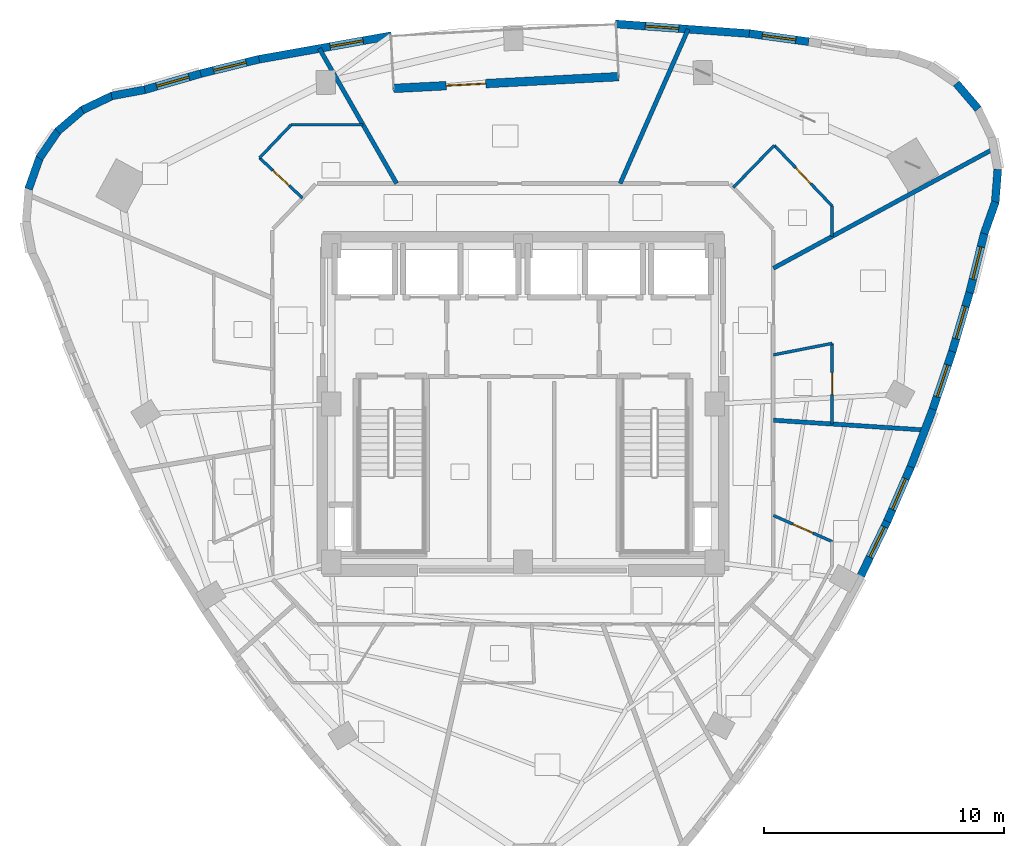
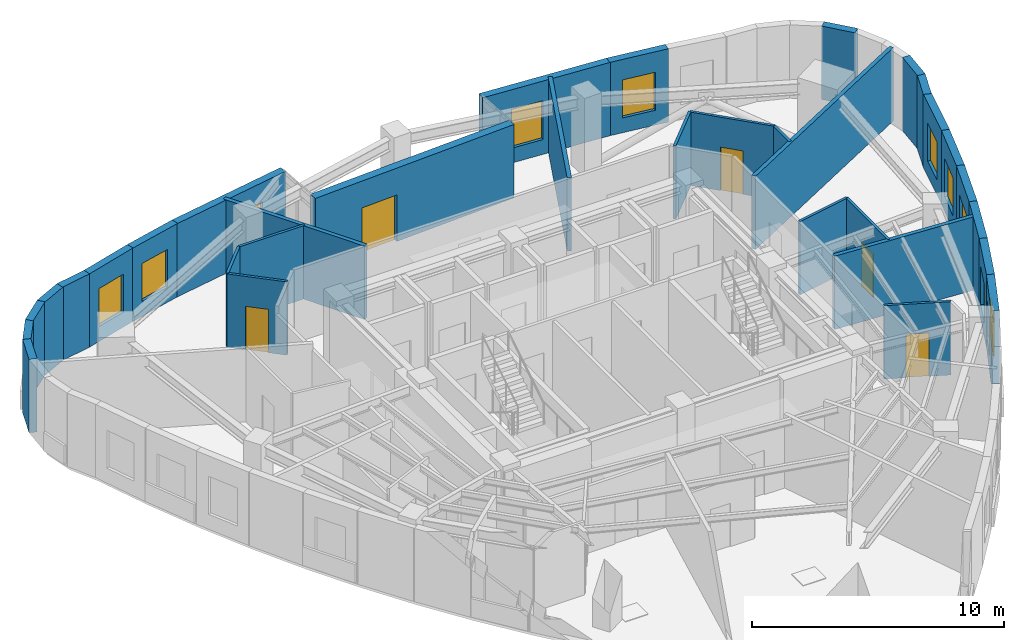
# One storey, part 8 of 12: 33 walls, 10 windows, 5 doors, 15 openings.
"""IFC4 building model written with IfcOpenShell, lengths in metres."""

import ifcopenshell
import ifcopenshell.guid

model = None  # the IFC model being written
_history = None  # IfcOwnerHistory: only IFC2X3 demands one
_inside = {}  # id of a spatial element -> (the spatial element, [elements in it])
_under = {}  # id of a project, library or spatial element -> (it, [spatial elements below it])
_declared = {}  # id of a project -> (the project, [libraries it declares])
_typed = {}  # id of a type object -> (the type object, [elements of that type])
_made_of = {}  # id of a material, layer set ... -> (it, [elements and type objects made of it])


def new_model(schema):
    """Start an empty IFC model of exactly this schema.

    Asked for "IFC4X3", IfcOpenShell would pick the latest addendum, in which some entities
    have other attributes; the version numbers below select the first issue.
    IFC2X3 requires an IfcOwnerHistory on every rooted entity: one is made here for all.
    """
    global model, _history
    if schema == "IFC4X3":
        model = ifcopenshell.file(schema_version=(4, 3, 0, 0))
    else:
        model = ifcopenshell.file(schema=schema)
    _inside.clear()
    _under.clear()
    _declared.clear()
    _typed.clear()
    _made_of.clear()
    _history = None
    if model.schema == "IFC2X3":
        org = make("IfcOrganization", Name="unknown")
        user = make(
            "IfcPersonAndOrganization",
            ThePerson=make("IfcPerson", FamilyName="unknown"),
            TheOrganization=org,
        )
        app = make(
            "IfcApplication",
            ApplicationDeveloper=org,
            Version="unknown",
            ApplicationFullName="unknown",
            ApplicationIdentifier="unknown",
        )
        _history = make(
            "IfcOwnerHistory",
            OwningUser=user,
            OwningApplication=app,
            ChangeAction="ADDED",
            CreationDate=0,
        )
    return model


def make(cls, **values):
    """One entity of the class cls with the attributes given. An attribute that is None is left unset."""
    return model.create_entity(
        cls, **{name: value for name, value in values.items() if value is not None}
    )


def rooted(cls, **values):
    """An entity with a GlobalId (a new one), such as an element, a storey or a relation."""
    return make(cls, GlobalId=ifcopenshell.guid.new(), OwnerHistory=_history, **values)


def si_unit(unit_type, name, prefix=None):
    """IfcSIUnit, for example si_unit("LENGTHUNIT", "METRE", prefix="MILLI")."""
    return make("IfcSIUnit", UnitType=unit_type, Prefix=prefix, Name=name)


def assignment(units):
    """IfcUnitAssignment: the units of a project."""
    return None if units is None else make("IfcUnitAssignment", Units=units)


def point(xyz):
    """IfcCartesianPoint."""
    return None if xyz is None else make("IfcCartesianPoint", Coordinates=xyz)


def direction(xyz):
    """IfcDirection."""
    return None if xyz is None else make("IfcDirection", DirectionRatios=xyz)


def frame(location, z_axis=None, x_axis=None):
    """IfcAxis2Placement3D, a coordinate frame: its origin and axes. An axis left out is left unset."""
    return make(
        "IfcAxis2Placement3D",
        Location=point(location),
        Axis=direction(z_axis),
        RefDirection=direction(x_axis),
    )


def frame_2d(location, x_axis=None):
    """IfcAxis2Placement2D, a coordinate frame in the plane: its origin and x axis."""
    return make(
        "IfcAxis2Placement2D", Location=point(location), RefDirection=direction(x_axis)
    )


def origin():
    """The frame at (0, 0, 0) with its axes left unset."""
    return frame((0.0, 0.0, 0.0))


def place(relative_to, where):
    """IfcLocalPlacement: puts the frame where relative to a parent placement (None: the world)."""
    return make(
        "IfcLocalPlacement", PlacementRelTo=relative_to, RelativePlacement=where
    )


def context(
    kind, dimensions, precision=None, world=None, true_north=None, identifier=None
):
    """IfcGeometricRepresentationContext, for example the 3D "Model" context."""
    return make(
        "IfcGeometricRepresentationContext",
        ContextIdentifier=identifier,
        ContextType=kind,
        CoordinateSpaceDimension=dimensions,
        Precision=precision,
        WorldCoordinateSystem=world,
        TrueNorth=true_north,
    )


def subcontext(parent, identifier, kind, view, scale=None):
    """IfcGeometricRepresentationSubContext, for example "Body" below "Model"."""
    return make(
        "IfcGeometricRepresentationSubContext",
        ContextIdentifier=identifier,
        ContextType=kind,
        ParentContext=parent,
        TargetScale=scale,
        TargetView=view,
    )


def project(units=None, contexts=None):
    """IfcProject with its units and contexts."""
    return rooted(
        "IfcProject",
        Name="project",
        RepresentationContexts=contexts,
        UnitsInContext=assignment(units),
    )


def spatial(cls, under=None, at=None, **own):
    """A site, building, storey or space (cls), placed at a placement, below another one or the project."""
    s = rooted(cls, ObjectPlacement=at, **own)
    if under is not None:
        _under.setdefault(under.id(), (under, []))[1].append(s)
    return s


def profile(cls, at=None, kind="AREA", **sizes):
    """A parametric profile (cls). Its sizes go by their IFC names, for example OverallWidth=200.0."""
    return make(cls, ProfileType=kind, Position=at, **sizes)


def rectangle(**sizes):
    """IfcRectangleProfileDef."""
    return profile("IfcRectangleProfileDef", **sizes)


def extrude(swept, where, along, depth):
    """IfcExtrudedAreaSolid: the profile swept, set in the frame where, extruded along a direction by depth."""
    return make(
        "IfcExtrudedAreaSolid",
        SweptArea=swept,
        Position=where,
        ExtrudedDirection=direction(along),
        Depth=depth,
    )


def shape(context_of_items, identifier, shape_type, items):
    """IfcShapeRepresentation: the items that make up one representation, for example the "Body"."""
    return make(
        "IfcShapeRepresentation",
        ContextOfItems=context_of_items,
        RepresentationIdentifier=identifier,
        RepresentationType=shape_type,
        Items=items,
    )


def material(Name=None, Category=None):
    """IfcMaterial."""
    return make("IfcMaterial", Name=Name, Category=Category)


def layer(
    of_material, thickness, ventilated=None, Name=None, Category=None, Priority=None
):
    """IfcMaterialLayer: one layer of a wall or slab, of a material (None: an air gap)."""
    return make(
        "IfcMaterialLayer",
        Material=of_material,
        LayerThickness=thickness,
        IsVentilated=ventilated,
        Name=Name,
        Category=Category,
        Priority=Priority,
    )


def layer_set(layers, Name=None):
    """IfcMaterialLayerSet."""
    return make("IfcMaterialLayerSet", MaterialLayers=layers, LayerSetName=Name)


def made_of(thing, what):
    """Note that an element or type object is made of a material, layer set ...; save() writes the relation."""
    if what is not None:
        _made_of.setdefault(what.id(), (what, []))[1].append(thing)
    return thing


def type_object(cls, material=None, **own):
    """A type object (cls), such as IfcWallType, which elements share."""
    return made_of(rooted(cls, **own), material)


def element(
    cls,
    number,
    at=None,
    inside=None,
    cuts=None,
    type_object=None,
    material=None,
    context=None,
    identifier="Body",
    shape_type=None,
    held_by="IfcProductDefinitionShape",
    body=None,
    shapes=None,
    **own,
):
    """One element of the class cls, such as IfcWall. Its Tag is "e" and its number.

    at: its placement. inside: the storey or other place that contains it. cuts: it is an
    opening in that element (IfcRelVoidsElement). A single representation is given by context,
    identifier, shape_type and body (its items); several are given by shapes. held_by: the class
    of the entity that holds the representations. save() writes the other relations.
    """
    e = rooted(cls, Tag="e%d" % number, ObjectPlacement=at, **own)
    if body is not None:
        shapes = [shape(context, identifier, shape_type, body)]
    if shapes is not None:
        e.Representation = make(held_by, Representations=shapes)
    if inside is not None:
        _inside.setdefault(inside.id(), (inside, []))[1].append(e)
    if cuts is not None:
        rooted(
            "IfcRelVoidsElement", RelatingBuildingElement=cuts, RelatedOpeningElement=e
        )
    if type_object is not None:
        _typed.setdefault(type_object.id(), (type_object, []))[1].append(e)
    return made_of(e, material)


def fill(opening, filler):
    """IfcRelFillsElement: the door or window that sits in an opening."""
    return rooted(
        "IfcRelFillsElement",
        RelatingOpeningElement=opening,
        RelatedBuildingElement=filler,
    )


def aggregate(whole, parts):
    """IfcRelAggregates: a whole, such as a stair, and the parts it consists of."""
    return rooted("IfcRelAggregates", RelatingObject=whole, RelatedObjects=parts)


def save(model, path):
    """Write the relations noted so far, then the file.

    IfcRelAggregates (storeys below a building ...), IfcRelContainedInSpatialStructure (elements
    in a storey), IfcRelDefinesByType, IfcRelAssociatesMaterial and IfcRelDeclares: one each for
    every whole, place, type object, material and project.
    """
    for whole, parts in _under.values():
        aggregate(whole, parts)
    for where, things in _inside.values():
        rooted(
            "IfcRelContainedInSpatialStructure",
            RelatedElements=things,
            RelatingStructure=where,
        )
    for kind, things in _typed.values():
        rooted("IfcRelDefinesByType", RelatedObjects=things, RelatingType=kind)
    for what, things in _made_of.values():
        rooted("IfcRelAssociatesMaterial", RelatedObjects=things, RelatingMaterial=what)
    for by, libraries in _declared.values():
        rooted("IfcRelDeclares", RelatingContext=by, RelatedDefinitions=libraries)
    model.write(path)


model = new_model("IFC4")

# Units and contexts
model_context = context("Model", 3, precision=1e-05, world=origin(), true_north=direction((0.0, 1.0)))
body_context = subcontext(model_context, "Body", "Model", "MODEL_VIEW")
ifc_project = project(units=[si_unit("LENGTHUNIT", "METRE"), si_unit("AREAUNIT", "SQUARE_METRE"), si_unit("VOLUMEUNIT", "CUBIC_METRE"), si_unit("PLANEANGLEUNIT", "RADIAN"), si_unit("MASSUNIT", "GRAM", prefix="KILO")], contexts=[model_context])

# Site, building, storey
site_placement = place(None, origin())
site = spatial("IfcSite", under=ifc_project, at=site_placement, CompositionType="ELEMENT")
building_placement = place(site_placement, origin())
building = spatial("IfcBuilding", under=site, at=building_placement, Name="Ndelora Gate Hotel", CompositionType="ELEMENT")
storey_placement = place(building_placement, frame((0.0, 0.0, 220.75)))
storey = spatial("IfcBuildingStorey", under=building, at=storey_placement, Name="L55", CompositionType="ELEMENT", Elevation=220.75)

# Walls
ifc_material_1 = material(Name="Acoustic Double-Stud Gypsum Assembly", Category="gypsum")
ifc_layer_1 = layer(ifc_material_1, 0.179931640625)
ifc_layer_set_1 = layer_set([ifc_layer_1], Name="Acoustic Double-Stud Gypsum Assembly")
wall_type_1 = type_object("IfcWallType", Name="WL-ACOUST-180", PredefinedType="PARTITIONING", material=ifc_layer_set_1)
wall_1_placement = place(storey_placement, frame((10.449951171875, -0.675537109375, 0.0), z_axis=(0.0, 0.0, 1.0), x_axis=(0.997917550795, -0.064502417126, 0.0)))
element("IfcWall", 1, at=wall_1_placement, inside=storey, type_object=wall_type_1, Name="L55 Interior Wall IW-3", PredefinedType="PARTITIONING", context=body_context, shape_type="SweptSolid", body=[
    extrude(rectangle(XDim=6.332275390625, YDim=0.179931640625, at=frame_2d((3.166015625, 0.0))), origin(), (0.0, 0.0, 1.0), 3.550048828125),
])
wall_2_placement = place(storey_placement, frame((10.449951171875, 5.665283203125, 0.0), z_axis=(0.0, 0.0, 1.0), x_axis=(0.879128995533, 0.476583895252, 0.0)))
element("IfcWall", 2, at=wall_2_placement, inside=storey, type_object=wall_type_1, Name="L55 Interior Wall IW-3", PredefinedType="PARTITIONING", context=body_context, shape_type="SweptSolid", body=[
    extrude(rectangle(XDim=10.45947265625, YDim=0.179931640625, at=frame_2d((5.229736328125, 0.0))), origin(), (0.0, 0.0, 1.0), 3.550048828125),
])
wall_3_placement = place(storey_placement, frame((4.056884765625, 9.199951171875, 0.0), z_axis=(0.0, 0.0, 1.0), x_axis=(0.403480435419, 0.914988272184, 0.0)))
element("IfcWall", 3, at=wall_3_placement, inside=storey, type_object=wall_type_1, Name="L55 Interior Wall IW-3", PredefinedType="PARTITIONING", context=body_context, shape_type="SweptSolid", body=[
    extrude(rectangle(XDim=7.035400390625, YDim=0.179931640625, at=frame_2d((3.517578125, 0.0))), origin(), (0.0, 0.0, 1.0), 3.550048828125),
])
wall_4_placement = place(storey_placement, frame((-5.26806640625, 9.199951171875, 0.0), z_axis=(0.0, 0.0, 1.0), x_axis=(-0.496920769896, 0.867795914052, 0.0)))
element("IfcWall", 4, at=wall_4_placement, inside=storey, type_object=wall_type_1, Name="L55 Interior Wall IW-3", PredefinedType="PARTITIONING", context=body_context, shape_type="SweptSolid", body=[
    extrude(rectangle(XDim=6.48876953125, YDim=0.179931640625, at=frame_2d((3.244384765625, 0.0))), origin(), (0.0, 0.0, 1.0), 3.550048828125),
])
ifc_material_2 = material(Name="Clay Brick Masonry", Category="masonry")
ifc_layer_2 = layer(ifc_material_2, 0.330078125)
ifc_layer_set_2 = layer_set([ifc_layer_2], Name="Clay Brick Masonry")
wall_type_2 = type_object("IfcWallType", Name="WL-BRICK-330", PredefinedType="SOLIDWALL", material=ifc_layer_set_2)
wall_5_placement = place(storey_placement, frame((-17.16015625, 12.853271484375, 0.0), z_axis=(0.0, 0.0, 1.0), x_axis=(0.983270499209, 0.182151380411, 0.0)))
element("IfcWall", 5, at=wall_5_placement, inside=storey, type_object=wall_type_2, Name="L55 Tower Brick Pier-and-Spandrel Wall TWR-1", PredefinedType="SOLIDWALL", context=body_context, shape_type="SweptSolid", body=[
    extrude(rectangle(XDim=1.4072265625, YDim=0.330078125, at=frame_2d((0.70361328125, 0.0))), origin(), (0.0, 0.0, 1.0), 3.550048828125),
])
for number, where, z_axis, x_axis, name in (
    (6, (-18.38330078125, 12.2626953125, 0.0), (0.0, 0.0, 1.0), (0.902565310806, 0.430552969714, 0.0), "L55 Tower Brick Pier-and-Spandrel Wall TWR-2"),
    (7, (-19.412109375, 11.37548828125, 0.0), (0.0, 0.0, 1.0), (0.760430782952, 0.64941898982, 0.0), "L55 Tower Brick Pier-and-Spandrel Wall TWR-3"),
    (8, (-20.176025390625, 10.25244140625, 0.0), (0.0, 0.0, 1.0), (0.566374209812, 0.824148199331, 0.0), "L55 Tower Brick Pier-and-Spandrel Wall TWR-4"),
):
    element("IfcWall", number, at=place(storey_placement, frame(where, z_axis=z_axis, x_axis=x_axis)), inside=storey, type_object=wall_type_2, Name=name, PredefinedType="SOLIDWALL", context=body_context, shape_type="SweptSolid", body=[
        extrude(rectangle(XDim=1.407470703125, YDim=0.330078125, at=frame_2d((0.70361328125, 0.0))), origin(), (0.0, 0.0, 1.0), 3.550048828125),
    ])
wall_6_placement = place(storey_placement, frame((-20.623291015625, 8.9697265625, 0.0), z_axis=(0.0, 0.0, 1.0), x_axis=(0.333709077945, 0.942676111555, 0.0)))
element("IfcWall", 9, at=wall_6_placement, inside=storey, type_object=wall_type_2, Name="L55 Tower Brick Pier-and-Spandrel Wall TWR-5", PredefinedType="SOLIDWALL", context=body_context, shape_type="SweptSolid", body=[
    extrude(rectangle(XDim=1.40771484375, YDim=0.330078125, at=frame_2d((0.703857421875, 0.0))), origin(), (0.0, 0.0, 1.0), 3.550048828125),
])

# Wall, opening, window
wall_7_placement = place(storey_placement, frame((15.1962890625, -4.8916015625, 0.0), z_axis=(0.0, 0.0, 1.0), x_axis=(-0.435185371062, -0.900340875898, 0.0)))
wall_7 = element("IfcWall", 10, at=wall_7_placement, inside=storey, type_object=wall_type_2, Name="L55 Tower Brick Pier-and-Spandrel Wall TWR-35", PredefinedType="SOLIDWALL", context=body_context, shape_type="SweptSolid", body=[
    extrude(rectangle(XDim=2.56591796875, YDim=0.330078125, at=frame_2d((1.282958984375, 0.0))), origin(), (0.0, 0.0, 1.0), 3.550048828125),
])
opening_1_placement = place(wall_7_placement, frame((0.260009765625, 0.0, 0.719970703125)))
opening_1 = element("IfcOpeningElement", 11, at=opening_1_placement, cuts=wall_7, Name="Opening W02", PredefinedType="OPENING", context=body_context, shape_type="SweptSolid", body=[
    extrude(rectangle(XDim=1.39990234375, YDim=1.840087890625, at=frame_2d((0.699951171875, 0.919921875))), frame((0.0, 0.175048828125, 0.0), z_axis=(0.0, -1.0, 0.0), x_axis=(1.0, 0.0, 0.0)), (0.0, 0.0, 1.0), 0.35009765625),
])
ifc_material_3 = material(Name="Insulated Low-E Double Glazing in Bronze Aluminium Frame", Category="aluminium")
window_type = type_object("IfcWindowType", Name="WN-DEEP-1400", PartitioningType="SINGLE_PANEL", PredefinedType="WINDOW", material=ifc_material_3)
window_1_placement = place(opening_1_placement, origin())
window_1 = element("IfcWindow", 12, at=window_1_placement, inside=storey, type_object=window_type, Name="L55 Deep-Set Brick-Pier Window W02", OverallHeight=1.840087890625, OverallWidth=1.39990234375, PartitioningType="SINGLE_PANEL", PredefinedType="WINDOW", context=body_context, shape_type="SweptSolid", body=[
    extrude(rectangle(XDim=1.39990234375, YDim=1.840087890625, at=frame_2d((0.699951171875, 0.919921875))), frame((0.0, 0.030029296875, 0.0), z_axis=(0.0, -1.0, 0.0), x_axis=(1.0, 0.0, 0.0)), (0.0, 0.0, 1.0), 0.06005859375),
])
fill(opening_1, window_1)

wall_8_placement = place(storey_placement, frame((16.1962890625, -2.577880859375, 0.0), z_axis=(0.0, 0.0, 1.0), x_axis=(-0.397103611511, -0.917773785704, 0.0)))
wall_8 = element("IfcWall", 13, at=wall_8_placement, inside=storey, type_object=wall_type_2, Name="L55 Tower Brick Pier-and-Spandrel Wall TWR-36", PredefinedType="SOLIDWALL", context=body_context, shape_type="SweptSolid", body=[
    extrude(rectangle(XDim=2.570556640625, YDim=0.330078125, at=frame_2d((1.28515625, 0.0))), origin(), (0.0, 0.0, 1.0), 3.550048828125),
])
opening_2_placement = place(wall_8_placement, frame((0.585205078125, 0.0, 0.719970703125)))
opening_2 = element("IfcOpeningElement", 14, at=opening_2_placement, cuts=wall_8, Name="Opening W02", PredefinedType="OPENING", context=body_context, shape_type="SweptSolid", body=[
    extrude(rectangle(XDim=1.39990234375, YDim=1.840087890625, at=frame_2d((0.699951171875, 0.919921875))), frame((0.0, 0.175048828125, 0.0), z_axis=(0.0, -1.0, 0.0), x_axis=(1.0, 0.0, 0.0)), (0.0, 0.0, 1.0), 0.35009765625),
])
window_2_placement = place(opening_2_placement, origin())
window_2 = element("IfcWindow", 15, at=window_2_placement, inside=storey, type_object=window_type, Name="L55 Deep-Set Brick-Pier Window W02", OverallHeight=1.840087890625, OverallWidth=1.39990234375, PartitioningType="SINGLE_PANEL", PredefinedType="WINDOW", context=body_context, shape_type="SweptSolid", body=[
    extrude(rectangle(XDim=1.39990234375, YDim=1.840087890625, at=frame_2d((0.699951171875, 0.919921875))), frame((0.0, 0.030029296875, 0.0), z_axis=(0.0, -1.0, 0.0), x_axis=(1.0, 0.0, 0.0)), (0.0, 0.0, 1.0), 0.06005859375),
])
fill(opening_2, window_2)

# Wall
wall_9_placement = place(storey_placement, frame((17.102294921875, -0.21630859375, 0.0), z_axis=(0.0, 0.0, 1.0), x_axis=(-0.358528725074, -0.933518694669, 0.0)))
element("IfcWall", 16, at=wall_9_placement, inside=storey, type_object=wall_type_2, Name="L55 Tower Brick Pier-and-Spandrel Wall TWR-37", PredefinedType="SOLIDWALL", context=body_context, shape_type="SweptSolid", body=[
    extrude(rectangle(XDim=2.579345703125, YDim=0.330078125, at=frame_2d((1.28955078125, 0.0))), origin(), (0.0, 0.0, 1.0), 3.550048828125),
])

# Wall, opening, window
wall_10_placement = place(storey_placement, frame((17.914306640625, 2.193115234375, 0.0), z_axis=(0.0, 0.0, 1.0), x_axis=(-0.319700444906, -0.94751866764, 0.0)))
wall_10 = element("IfcWall", 17, at=wall_10_placement, inside=storey, type_object=wall_type_2, Name="L55 Tower Brick Pier-and-Spandrel Wall TWR-38", PredefinedType="SOLIDWALL", context=body_context, shape_type="SweptSolid", body=[
    extrude(rectangle(XDim=2.592529296875, YDim=0.330078125, at=frame_2d((1.29638671875, 0.0))), origin(), (0.0, 0.0, 1.0), 3.550048828125),
])
opening_3_placement = place(wall_10_placement, frame((0.59619140625, 0.0, 0.719970703125)))
opening_3 = element("IfcOpeningElement", 18, at=opening_3_placement, cuts=wall_10, Name="Opening W02", PredefinedType="OPENING", context=body_context, shape_type="SweptSolid", body=[
    extrude(rectangle(XDim=1.39990234375, YDim=1.840087890625, at=frame_2d((0.699951171875, 0.919921875))), frame((0.0, 0.175048828125, 0.0), z_axis=(0.0, -1.0, 0.0), x_axis=(1.0, 0.0, 0.0)), (0.0, 0.0, 1.0), 0.35009765625),
])
window_3_placement = place(opening_3_placement, origin())
window_3 = element("IfcWindow", 19, at=window_3_placement, inside=storey, type_object=window_type, Name="L55 Deep-Set Brick-Pier Window W02", OverallHeight=1.840087890625, OverallWidth=1.39990234375, PartitioningType="SINGLE_PANEL", PredefinedType="WINDOW", context=body_context, shape_type="SweptSolid", body=[
    extrude(rectangle(XDim=1.39990234375, YDim=1.840087890625, at=frame_2d((0.699951171875, 0.919921875))), frame((0.0, 0.030029296875, 0.0), z_axis=(0.0, -1.0, 0.0), x_axis=(1.0, 0.0, 0.0)), (0.0, 0.0, 1.0), 0.06005859375),
])
fill(opening_3, window_3)

wall_11_placement = place(storey_placement, frame((18.632080078125, 4.650390625, 0.0), z_axis=(0.0, 0.0, 1.0), x_axis=(-0.280732723443, -0.959785985514, 0.0)))
wall_11 = element("IfcWall", 20, at=wall_11_placement, inside=storey, type_object=wall_type_2, Name="L55 Tower Brick Pier-and-Spandrel Wall TWR-39", PredefinedType="SOLIDWALL", context=body_context, shape_type="SweptSolid", body=[
    extrude(rectangle(XDim=2.60986328125, YDim=0.330078125, at=frame_2d((1.304931640625, 0.0))), origin(), (0.0, 0.0, 1.0), 3.550048828125),
])
opening_4_placement = place(wall_11_placement, frame((0.60498046875, 0.0, 0.719970703125)))
opening_4 = element("IfcOpeningElement", 21, at=opening_4_placement, cuts=wall_11, Name="Opening W02", PredefinedType="OPENING", context=body_context, shape_type="SweptSolid", body=[
    extrude(rectangle(XDim=1.39990234375, YDim=1.840087890625, at=frame_2d((0.699951171875, 0.919921875))), frame((0.0, 0.175048828125, 0.0), z_axis=(0.0, -1.0, 0.0), x_axis=(1.0, 0.0, 0.0)), (0.0, 0.0, 1.0), 0.35009765625),
])
window_4_placement = place(opening_4_placement, origin())
window_4 = element("IfcWindow", 22, at=window_4_placement, inside=storey, type_object=window_type, Name="L55 Deep-Set Brick-Pier Window W02", OverallHeight=1.840087890625, OverallWidth=1.39990234375, PartitioningType="SINGLE_PANEL", PredefinedType="WINDOW", context=body_context, shape_type="SweptSolid", body=[
    extrude(rectangle(XDim=1.39990234375, YDim=1.840087890625, at=frame_2d((0.699951171875, 0.919921875))), frame((0.0, 0.030029296875, 0.0), z_axis=(0.0, -1.0, 0.0), x_axis=(1.0, 0.0, 0.0)), (0.0, 0.0, 1.0), 0.06005859375),
])
fill(opening_4, window_4)

wall_12_placement = place(storey_placement, frame((19.255859375, 7.15576171875, 0.0), z_axis=(0.0, 0.0, 1.0), x_axis=(-0.24192443615, -0.970295092842, 0.0)))
wall_12 = element("IfcWall", 23, at=wall_12_placement, inside=storey, type_object=wall_type_2, Name="L55 Tower Brick Pier-and-Spandrel Wall TWR-40", PredefinedType="SOLIDWALL", context=body_context, shape_type="SweptSolid", body=[
    extrude(rectangle(XDim=2.6318359375, YDim=0.330078125, at=frame_2d((1.31591796875, 0.0))), origin(), (0.0, 0.0, 1.0), 3.550048828125),
])
opening_5_placement = place(wall_12_placement, frame((0.615966796875, 0.0, 0.719970703125)))
opening_5 = element("IfcOpeningElement", 24, at=opening_5_placement, cuts=wall_12, Name="Opening W02", PredefinedType="OPENING", context=body_context, shape_type="SweptSolid", body=[
    extrude(rectangle(XDim=1.39990234375, YDim=1.840087890625, at=frame_2d((0.699951171875, 0.919921875))), frame((0.0, 0.175048828125, 0.0), z_axis=(0.0, -1.0, 0.0), x_axis=(1.0, 0.0, 0.0)), (0.0, 0.0, 1.0), 0.35009765625),
])
window_5_placement = place(opening_5_placement, origin())
window_5 = element("IfcWindow", 25, at=window_5_placement, inside=storey, type_object=window_type, Name="L55 Deep-Set Brick-Pier Window W02", OverallHeight=1.840087890625, OverallWidth=1.39990234375, PartitioningType="SINGLE_PANEL", PredefinedType="WINDOW", context=body_context, shape_type="SweptSolid", body=[
    extrude(rectangle(XDim=1.39990234375, YDim=1.840087890625, at=frame_2d((0.699951171875, 0.919921875))), frame((0.0, 0.030029296875, 0.0), z_axis=(0.0, -1.0, 0.0), x_axis=(1.0, 0.0, 0.0)), (0.0, 0.0, 1.0), 0.06005859375),
])
fill(opening_5, window_5)

# Walls
wall_13_placement = place(storey_placement, frame((19.711181640625, 8.4345703125, 0.0), z_axis=(0.0, 0.0, 1.0), x_axis=(-0.33376364871, -0.942656791627, 0.0)))
element("IfcWall", 26, at=wall_13_placement, inside=storey, type_object=wall_type_2, Name="L55 Tower Brick Pier-and-Spandrel Wall TWR-41", PredefinedType="SOLIDWALL", context=body_context, shape_type="SweptSolid", body=[
    extrude(rectangle(XDim=1.407470703125, YDim=0.330078125, at=frame_2d((0.70361328125, 0.0))), origin(), (0.0, 0.0, 1.0), 3.550048828125),
])
wall_14_placement = place(storey_placement, frame((19.8115234375, 9.789306640625, 0.0), z_axis=(0.0, 0.0, 1.0), x_axis=(-0.078566409812, -0.99690888212, 0.0)))
element("IfcWall", 27, at=wall_14_placement, inside=storey, type_object=wall_type_2, Name="L55 Tower Brick Pier-and-Spandrel Wall TWR-42", PredefinedType="SOLIDWALL", context=body_context, shape_type="SweptSolid", body=[
    extrude(rectangle(XDim=1.40771484375, YDim=0.330078125, at=frame_2d((0.703857421875, 0.0))), origin(), (0.0, 0.0, 1.0), 3.550048828125),
])
wall_15_placement = place(storey_placement, frame((18.079833984375, 13.37548828125, 0.0), z_axis=(0.0, 0.0, 1.0), x_axis=(0.64941898982, -0.760430782952, 0.0)))
element("IfcWall", 28, at=wall_15_placement, inside=storey, type_object=wall_type_2, Name="L55 Tower Brick Pier-and-Spandrel Wall TWR-45", PredefinedType="SOLIDWALL", context=body_context, shape_type="SweptSolid", body=[
    extrude(rectangle(XDim=1.407470703125, YDim=0.330078125, at=frame_2d((0.70361328125, 0.0))), origin(), (0.0, 0.0, 1.0), 3.550048828125),
])

# Wall, opening, window
wall_16_placement = place(storey_placement, frame((9.44287109375, 15.455810546875, 0.0), z_axis=(0.0, 0.0, 1.0), x_axis=(0.990662417066, -0.136337725571, 0.0)))
wall_16 = element("IfcWall", 29, at=wall_16_placement, inside=storey, type_object=wall_type_2, Name="L55 Tower Brick Pier-and-Spandrel Wall TWR-50", PredefinedType="SOLIDWALL", context=body_context, shape_type="SweptSolid", body=[
    extrude(rectangle(XDim=2.5087890625, YDim=0.330078125, at=frame_2d((1.25439453125, 0.0))), origin(), (0.0, 0.0, 1.0), 3.550048828125),
])
opening_6_placement = place(wall_16_placement, frame((0.554443359375, 0.0, 0.719970703125)))
opening_6 = element("IfcOpeningElement", 30, at=opening_6_placement, cuts=wall_16, Name="Opening W02", PredefinedType="OPENING", context=body_context, shape_type="SweptSolid", body=[
    extrude(rectangle(XDim=1.39990234375, YDim=1.840087890625, at=frame_2d((0.699951171875, 0.919921875))), frame((0.0, 0.175048828125, 0.0), z_axis=(0.0, -1.0, 0.0), x_axis=(1.0, 0.0, 0.0)), (0.0, 0.0, 1.0), 0.35009765625),
])
window_6_placement = place(opening_6_placement, origin())
window_6 = element("IfcWindow", 31, at=window_6_placement, inside=storey, type_object=window_type, Name="L55 Deep-Set Brick-Pier Window W02", OverallHeight=1.840087890625, OverallWidth=1.39990234375, PartitioningType="SINGLE_PANEL", PredefinedType="WINDOW", context=body_context, shape_type="SweptSolid", body=[
    extrude(rectangle(XDim=1.39990234375, YDim=1.840087890625, at=frame_2d((0.699951171875, 0.919921875))), frame((0.0, 0.030029296875, 0.0), z_axis=(0.0, -1.0, 0.0), x_axis=(1.0, 0.0, 0.0)), (0.0, 0.0, 1.0), 0.06005859375),
])
fill(opening_6, window_6)

wall_17_placement = place(storey_placement, frame((3.8505859375, 15.856201171875, 0.0), z_axis=(0.0, 0.0, 1.0), x_axis=(0.997423966596, -0.071731658697, 0.0)))
wall_17 = element("IfcWall", 32, at=wall_17_placement, inside=storey, type_object=wall_type_2, Name="L55 Tower Brick Pier-and-Spandrel Wall TWR-51", PredefinedType="SOLIDWALL", context=body_context, shape_type="SweptSolid", body=[
    extrude(rectangle(XDim=5.65673828125, YDim=0.330078125, at=frame_2d((2.828369140625, 0.0))), origin(), (0.0, 0.0, 1.0), 3.550048828125),
])
opening_7_placement = place(wall_17_placement, frame((1.260009765625, 0.0, 0.719970703125)))
opening_7 = element("IfcOpeningElement", 33, at=opening_7_placement, cuts=wall_17, Name="Opening W02", PredefinedType="OPENING", context=body_context, shape_type="SweptSolid", body=[
    extrude(rectangle(XDim=1.39990234375, YDim=1.8798828125, at=frame_2d((0.699951171875, 0.93994140625))), frame((0.0, 0.175048828125, 0.0), z_axis=(0.0, -1.0, 0.0), x_axis=(1.0, 0.0, 0.0)), (0.0, 0.0, 1.0), 0.35009765625),
])
window_7_placement = place(opening_7_placement, origin())
window_7 = element("IfcWindow", 34, at=window_7_placement, inside=storey, type_object=window_type, Name="L55 Deep-Set Brick-Pier Window W02", OverallHeight=1.8798828125, OverallWidth=1.39990234375, PartitioningType="SINGLE_PANEL", PredefinedType="WINDOW", context=body_context, shape_type="SweptSolid", body=[
    extrude(rectangle(XDim=1.39990234375, YDim=1.8798828125, at=frame_2d((0.699951171875, 0.93994140625))), frame((0.0, 0.030029296875, 0.0), z_axis=(0.0, -1.0, 0.0), x_axis=(1.0, 0.0, 0.0)), (0.0, 0.0, 1.0), 0.06005859375),
])
fill(opening_7, window_7)

wall_18_placement = place(storey_placement, frame((-11.0556640625, 14.37353515625, 0.0), z_axis=(0.0, 0.0, 1.0), x_axis=(0.984457704332, 0.17562183344, 0.0)))
wall_18 = element("IfcWall", 35, at=wall_18_placement, inside=storey, type_object=wall_type_2, Name="L55 Tower Brick Pier-and-Spandrel Wall TWR-56", PredefinedType="SOLIDWALL", context=body_context, shape_type="SweptSolid", body=[
    extrude(rectangle(XDim=5.656494140625, YDim=0.330078125, at=frame_2d((2.828125, 0.0))), origin(), (0.0, 0.0, 1.0), 3.550048828125),
])
opening_8_placement = place(wall_18_placement, frame((3.06005859375, 0.0, 0.719970703125)))
opening_8 = element("IfcOpeningElement", 36, at=opening_8_placement, cuts=wall_18, Name="Opening W02", PredefinedType="OPENING", context=body_context, shape_type="SweptSolid", body=[
    extrude(rectangle(XDim=1.39990234375, YDim=1.8798828125, at=frame_2d((0.699951171875, 0.93994140625))), frame((0.0, 0.175048828125, 0.0), z_axis=(0.0, -1.0, 0.0), x_axis=(1.0, 0.0, 0.0)), (0.0, 0.0, 1.0), 0.35009765625),
])
window_8_placement = place(opening_8_placement, origin())
window_8 = element("IfcWindow", 37, at=window_8_placement, inside=storey, type_object=window_type, Name="L55 Deep-Set Brick-Pier Window W02", OverallHeight=1.8798828125, OverallWidth=1.39990234375, PartitioningType="SINGLE_PANEL", PredefinedType="WINDOW", context=body_context, shape_type="SweptSolid", body=[
    extrude(rectangle(XDim=1.39990234375, YDim=1.8798828125, at=frame_2d((0.699951171875, 0.93994140625))), frame((0.0, 0.030029296875, 0.0), z_axis=(0.0, -1.0, 0.0), x_axis=(1.0, 0.0, 0.0)), (0.0, 0.0, 1.0), 0.06005859375),
])
fill(opening_8, window_8)

wall_19_placement = place(storey_placement, frame((-13.44287109375, 13.7841796875, 0.0), z_axis=(0.0, 0.0, 1.0), x_axis=(0.970995069754, 0.239099507555, 0.0)))
wall_19 = element("IfcWall", 38, at=wall_19_placement, inside=storey, type_object=wall_type_2, Name="L55 Tower Brick Pier-and-Spandrel Wall TWR-57", PredefinedType="SOLIDWALL", context=body_context, shape_type="SweptSolid", body=[
    extrude(rectangle(XDim=2.5087890625, YDim=0.330078125, at=frame_2d((1.25439453125, 0.0))), origin(), (0.0, 0.0, 1.0), 3.550048828125),
])
opening_9_placement = place(wall_19_placement, frame((0.554443359375, 0.0, 0.719970703125)))
opening_9 = element("IfcOpeningElement", 39, at=opening_9_placement, cuts=wall_19, Name="Opening W02", PredefinedType="OPENING", context=body_context, shape_type="SweptSolid", body=[
    extrude(rectangle(XDim=1.39990234375, YDim=1.840087890625, at=frame_2d((0.699951171875, 0.919921875))), frame((0.0, 0.175048828125, 0.0), z_axis=(0.0, -1.0, 0.0), x_axis=(1.0, 0.0, 0.0)), (0.0, 0.0, 1.0), 0.35009765625),
])
window_9_placement = place(opening_9_placement, origin())
window_9 = element("IfcWindow", 40, at=window_9_placement, inside=storey, type_object=window_type, Name="L55 Deep-Set Brick-Pier Window W02", OverallHeight=1.840087890625, OverallWidth=1.39990234375, PartitioningType="SINGLE_PANEL", PredefinedType="WINDOW", context=body_context, shape_type="SweptSolid", body=[
    extrude(rectangle(XDim=1.39990234375, YDim=1.840087890625, at=frame_2d((0.699951171875, 0.919921875))), frame((0.0, 0.030029296875, 0.0), z_axis=(0.0, -1.0, 0.0), x_axis=(1.0, 0.0, 0.0)), (0.0, 0.0, 1.0), 0.06005859375),
])
fill(opening_9, window_9)

wall_20_placement = place(storey_placement, frame((-15.824951171875, 13.09814453125, 0.0), z_axis=(0.0, 0.0, 1.0), x_axis=(0.961045266568, 0.276391019406, 0.0)))
wall_20 = element("IfcWall", 41, at=wall_20_placement, inside=storey, type_object=wall_type_2, Name="L55 Tower Brick Pier-and-Spandrel Wall TWR-58", PredefinedType="SOLIDWALL", context=body_context, shape_type="SweptSolid", body=[
    extrude(rectangle(XDim=2.529052734375, YDim=0.330078125, at=frame_2d((1.2646484375, 0.0))), origin(), (0.0, 0.0, 1.0), 3.550048828125),
])
opening_10_placement = place(wall_20_placement, frame((0.564453125, 0.0, 0.719970703125)))
opening_10 = element("IfcOpeningElement", 42, at=opening_10_placement, cuts=wall_20, Name="Opening W02", PredefinedType="OPENING", context=body_context, shape_type="SweptSolid", body=[
    extrude(rectangle(XDim=1.39990234375, YDim=1.840087890625, at=frame_2d((0.699951171875, 0.919921875))), frame((0.0, 0.175048828125, 0.0), z_axis=(0.0, -1.0, 0.0), x_axis=(1.0, 0.0, 0.0)), (0.0, 0.0, 1.0), 0.35009765625),
])
window_10_placement = place(opening_10_placement, origin())
window_10 = element("IfcWindow", 43, at=window_10_placement, inside=storey, type_object=window_type, Name="L55 Deep-Set Brick-Pier Window W02", OverallHeight=1.840087890625, OverallWidth=1.39990234375, PartitioningType="SINGLE_PANEL", PredefinedType="WINDOW", context=body_context, shape_type="SweptSolid", body=[
    extrude(rectangle(XDim=1.39990234375, YDim=1.840087890625, at=frame_2d((0.699951171875, 0.919921875))), frame((0.0, 0.030029296875, 0.0), z_axis=(0.0, -1.0, 0.0), x_axis=(1.0, 0.0, 0.0)), (0.0, 0.0, 1.0), 0.06005859375),
])
fill(opening_10, window_10)

# Wall, opening, door
ifc_layer_3 = layer(ifc_material_2, 0.360107421875)
ifc_layer_set_3 = layer_set([ifc_layer_3], Name="Clay Brick Masonry")
wall_type_3 = type_object("IfcWallType", Name="WL-BRICK-360", PredefinedType="SOLIDWALL", material=ifc_layer_set_3)
wall_21_placement = place(storey_placement, frame((-5.396484375, 13.16552734375, 0.0), z_axis=(0.0, 0.0, 1.0), x_axis=(0.998629642142, 0.052333907124, 0.0)))
wall_21 = element("IfcWall", 44, at=wall_21_placement, inside=storey, type_object=wall_type_3, Name="L55 Sky-Garden Loggia Rear Brick Wall", PredefinedType="SOLIDWALL", context=body_context, shape_type="SweptSolid", body=[
    extrude(rectangle(XDim=9.400146484375, YDim=0.360107421875, at=frame_2d((4.7001953125, 0.0))), origin(), (0.0, 0.0, 1.0), 3.550048828125),
])
opening_11_placement = place(wall_21_placement, frame((2.199951171875, 0.0, 0.0)))
opening_11 = element("IfcOpeningElement", 45, at=opening_11_placement, cuts=wall_21, Name="Opening TD1", PredefinedType="OPENING", context=body_context, shape_type="SweptSolid", body=[
    extrude(rectangle(XDim=1.64990234375, YDim=2.25, at=frame_2d((0.824951171875, 1.125))), frame((0.0, 0.18994140625, 0.0), z_axis=(0.0, -1.0, 0.0), x_axis=(1.0, 0.0, 0.0)), (0.0, 0.0, 1.0), 0.380126953125),
])
ifc_material_4 = material(Name="Architectural Bronze Glazed Door", Category="metal")
door_type_1 = type_object("IfcDoorType", Name="DR-TER-1650", OperationType="DOUBLE_DOOR_SINGLE_SWING", PredefinedType="DOOR", material=ifc_material_4)
door_1_placement = place(opening_11_placement, origin())
door_1 = element("IfcDoor", 46, at=door_1_placement, inside=storey, type_object=door_type_1, Name="L55 Sky-Garden Terrace Double Door TD1", OperationType="DOUBLE_DOOR_SINGLE_SWING", OverallHeight=2.25, OverallWidth=1.64990234375, PredefinedType="DOOR", context=body_context, shape_type="SweptSolid", body=[
    extrude(rectangle(XDim=1.64990234375, YDim=2.25, at=frame_2d((0.824951171875, 1.125))), frame((0.0, 0.02490234375, 0.0), z_axis=(0.0, -1.0, 0.0), x_axis=(1.0, 0.0, 0.0)), (0.0, 0.0, 1.0), 0.050048828125),
])
fill(opening_11, door_1)

ifc_material_5 = material(Name="Moisture-Resistant Bathroom Tile Partition", Category="gypsum")
ifc_layer_4 = layer(ifc_material_5, 0.1201171875)
ifc_layer_set_4 = layer_set([ifc_layer_4], Name="Moisture-Resistant Bathroom Tile Partition")
wall_type_4 = type_object("IfcWallType", Name="WL-WET-120", PredefinedType="PARTITIONING", material=ifc_layer_set_4)
wall_22_placement = place(storey_placement, frame((10.449951171875, -4.649169921875, 0.0), z_axis=(0.0, 0.0, 1.0), x_axis=(0.913676332544, -0.406442565867, 0.0)))
wall_22 = element("IfcWall", 47, at=wall_22_placement, inside=storey, type_object=wall_type_4, Name="L55 Interior Wall IW-7", PredefinedType="PARTITIONING", context=body_context, shape_type="SweptSolid", body=[
    extrude(rectangle(XDim=2.681396484375, YDim=0.1201171875, at=frame_2d((1.3408203125, 0.0))), origin(), (0.0, 0.0, 1.0), 3.550048828125),
])
opening_12_placement = place(wall_22_placement, frame((0.880615234375, 0.0, 0.0)))
opening_12 = element("IfcOpeningElement", 48, at=opening_12_placement, cuts=wall_22, Name="Opening D03", PredefinedType="OPENING", context=body_context, shape_type="SweptSolid", body=[
    extrude(rectangle(XDim=0.919921875, YDim=2.10009765625, at=frame_2d((0.4599609375, 1.050048828125))), frame((0.0, 0.070068359375, 0.0), z_axis=(0.0, -1.0, 0.0), x_axis=(1.0, 0.0, 0.0)), (0.0, 0.0, 1.0), 0.14013671875),
])
ifc_material_6 = material(Name="Moisture-Resistant Hardwood En-Suite Door", Category="wood")
door_type_2 = type_object("IfcDoorType", Name="DR-BATH-920", OperationType="SINGLE_SWING_LEFT", PredefinedType="DOOR", material=ifc_material_6)
door_2_placement = place(opening_12_placement, origin())
door_2 = element("IfcDoor", 49, at=door_2_placement, inside=storey, type_object=door_type_2, Name="L55 En-suite Bathroom 5801 Door", OperationType="SINGLE_SWING_RIGHT", OverallHeight=2.10009765625, OverallWidth=0.919921875, PredefinedType="DOOR", context=body_context, shape_type="SweptSolid", body=[
    extrude(rectangle(XDim=0.919921875, YDim=2.10009765625, at=frame_2d((0.4599609375, 1.050048828125))), frame((0.0, 0.02490234375, 0.0), z_axis=(0.0, -1.0, 0.0), x_axis=(1.0, 0.0, 0.0)), (0.0, 0.0, 1.0), 0.050048828125),
])
fill(opening_12, door_2)

# Wall
wall_23_placement = place(storey_placement, frame((10.449951171875, 2.04931640625, 0.0), z_axis=(0.0, 0.0, 1.0), x_axis=(0.981307232297, 0.192447696379, 0.0)))
element("IfcWall", 50, at=wall_23_placement, inside=storey, type_object=wall_type_4, Name="L55 Interior Wall IW-7", PredefinedType="PARTITIONING", context=body_context, shape_type="SweptSolid", body=[
    extrude(rectangle(XDim=2.49658203125, YDim=0.1201171875, at=frame_2d((1.248291015625, 0.0))), origin(), (0.0, 0.0, 1.0), 3.550048828125),
])

# Wall, opening, door
wall_24_placement = place(storey_placement, frame((12.89990234375, 2.52978515625, 0.0), z_axis=(0.0, 0.0, 1.0), x_axis=(0.0, -1.0, 0.0)))
wall_24 = element("IfcWall", 51, at=wall_24_placement, inside=storey, type_object=wall_type_4, Name="L55 Interior Wall IW-7", PredefinedType="PARTITIONING", context=body_context, shape_type="SweptSolid", body=[
    extrude(rectangle(XDim=3.36376953125, YDim=0.1201171875, at=frame_2d((1.681884765625, 0.0))), origin(), (0.0, 0.0, 1.0), 3.550048828125),
])
opening_13_placement = place(wall_24_placement, frame((1.221923828125, 0.0, 0.0)))
opening_13 = element("IfcOpeningElement", 52, at=opening_13_placement, cuts=wall_24, Name="Opening D03", PredefinedType="OPENING", context=body_context, shape_type="SweptSolid", body=[
    extrude(rectangle(XDim=0.919921875, YDim=2.10009765625, at=frame_2d((0.4599609375, 1.050048828125))), frame((0.0, 0.070068359375, 0.0), z_axis=(0.0, -1.0, 0.0), x_axis=(1.0, 0.0, 0.0)), (0.0, 0.0, 1.0), 0.14013671875),
])
door_3_placement = place(opening_13_placement, origin())
door_3 = element("IfcDoor", 53, at=door_3_placement, inside=storey, type_object=door_type_2, Name="L55 En-suite Bathroom 5802 Door", OperationType="SINGLE_SWING_LEFT", OverallHeight=2.10009765625, OverallWidth=0.919921875, PredefinedType="DOOR", context=body_context, shape_type="SweptSolid", body=[
    extrude(rectangle(XDim=0.919921875, YDim=2.10009765625, at=frame_2d((0.4599609375, 1.050048828125))), frame((0.0, 0.02490234375, 0.0), z_axis=(0.0, -1.0, 0.0), x_axis=(1.0, 0.0, 0.0)), (0.0, 0.0, 1.0), 0.050048828125),
])
fill(opening_13, door_3)

# Wall
wall_25_placement = place(storey_placement, frame((10.486572265625, 10.79248046875, 0.0), z_axis=(0.0, 0.0, 1.0), x_axis=(-0.696876436114, -0.717191210759, 0.0)))
element("IfcWall", 54, at=wall_25_placement, inside=storey, type_object=wall_type_4, Name="L55 Interior Wall IW-7", PredefinedType="PARTITIONING", context=body_context, shape_type="SweptSolid", body=[
    extrude(rectangle(XDim=2.45166015625, YDim=0.1201171875, at=frame_2d((1.225830078125, 0.0))), origin(), (0.0, 0.0, 1.0), 3.550048828125),
])

# Wall, opening, door
wall_26_placement = place(storey_placement, frame((10.486572265625, 10.79248046875, 0.0), z_axis=(0.0, 0.0, 1.0), x_axis=(0.689942688038, -0.723863997739, 0.0)))
wall_26 = element("IfcWall", 55, at=wall_26_placement, inside=storey, type_object=wall_type_4, Name="L55 Interior Wall IW-7", PredefinedType="PARTITIONING", context=body_context, shape_type="SweptSolid", body=[
    extrude(rectangle(XDim=3.497802734375, YDim=0.1201171875, at=frame_2d((1.7490234375, 0.0))), origin(), (0.0, 0.0, 1.0), 3.550048828125),
])
opening_14_placement = place(wall_26_placement, frame((1.2890625, 0.0, 0.0)))
opening_14 = element("IfcOpeningElement", 56, at=opening_14_placement, cuts=wall_26, Name="Opening D03", PredefinedType="OPENING", context=body_context, shape_type="SweptSolid", body=[
    extrude(rectangle(XDim=0.919921875, YDim=2.10009765625, at=frame_2d((0.4599609375, 1.050048828125))), frame((0.0, 0.070068359375, 0.0), z_axis=(0.0, -1.0, 0.0), x_axis=(1.0, 0.0, 0.0)), (0.0, 0.0, 1.0), 0.14013671875),
])
door_4_placement = place(opening_14_placement, origin())
door_4 = element("IfcDoor", 57, at=door_4_placement, inside=storey, type_object=door_type_2, Name="L55 En-suite Bathroom 5803 Door", OperationType="SINGLE_SWING_RIGHT", OverallHeight=2.10009765625, OverallWidth=0.919921875, PredefinedType="DOOR", context=body_context, shape_type="SweptSolid", body=[
    extrude(rectangle(XDim=0.919921875, YDim=2.10009765625, at=frame_2d((0.4599609375, 1.050048828125))), frame((0.0, 0.02490234375, 0.0), z_axis=(0.0, -1.0, 0.0), x_axis=(1.0, 0.0, 0.0)), (0.0, 0.0, 1.0), 0.050048828125),
])
fill(opening_14, door_4)

# Wall
wall_27_placement = place(storey_placement, frame((12.89990234375, 6.993408203125, 0.0), z_axis=(0.0, 0.0, 1.0), x_axis=(0.0, 1.0, 0.0)))
element("IfcWall", 58, at=wall_27_placement, inside=storey, type_object=wall_type_4, Name="L55 Interior Wall IW-7", PredefinedType="PARTITIONING", context=body_context, shape_type="SweptSolid", body=[
    extrude(rectangle(XDim=1.26708984375, YDim=0.1201171875, at=frame_2d((0.633544921875, 0.0))), origin(), (0.0, 0.0, 1.0), 3.550048828125),
])

# Wall, opening, door
wall_28_placement = place(storey_placement, frame((-9.197998046875, 8.593505859375, 0.0), z_axis=(0.0, 0.0, 1.0), x_axis=(-0.730664159642, 0.682737054666, 0.0)))
wall_28 = element("IfcWall", 59, at=wall_28_placement, inside=storey, type_object=wall_type_4, Name="L55 Interior Wall IW-7", PredefinedType="PARTITIONING", context=body_context, shape_type="SweptSolid", body=[
    extrude(rectangle(XDim=2.4501953125, YDim=0.1201171875, at=frame_2d((1.22509765625, 0.0))), origin(), (0.0, 0.0, 1.0), 3.550048828125),
])
opening_15_placement = place(wall_28_placement, frame((0.76513671875, 0.0, 0.0)))
opening_15 = element("IfcOpeningElement", 60, at=opening_15_placement, cuts=wall_28, Name="Opening D03", PredefinedType="OPENING", context=body_context, shape_type="SweptSolid", body=[
    extrude(rectangle(XDim=0.919921875, YDim=2.10009765625, at=frame_2d((0.4599609375, 1.050048828125))), frame((0.0, 0.070068359375, 0.0), z_axis=(0.0, -1.0, 0.0), x_axis=(1.0, 0.0, 0.0)), (0.0, 0.0, 1.0), 0.14013671875),
])
door_5_placement = place(opening_15_placement, origin())
door_5 = element("IfcDoor", 61, at=door_5_placement, inside=storey, type_object=door_type_2, Name="L55 En-suite Bathroom 5804 Door", OperationType="SINGLE_SWING_LEFT", OverallHeight=2.10009765625, OverallWidth=0.919921875, PredefinedType="DOOR", context=body_context, shape_type="SweptSolid", body=[
    extrude(rectangle(XDim=0.919921875, YDim=2.10009765625, at=frame_2d((0.4599609375, 1.050048828125))), frame((0.0, 0.02490234375, 0.0), z_axis=(0.0, -1.0, 0.0), x_axis=(1.0, 0.0, 0.0)), (0.0, 0.0, 1.0), 0.050048828125),
])
fill(opening_15, door_5)

# Walls
wall_29_placement = place(storey_placement, frame((-10.98828125, 10.266357421875, 0.0), z_axis=(0.0, 0.0, 1.0), x_axis=(0.689980418995, 0.723828033033, 0.0)))
element("IfcWall", 62, at=wall_29_placement, inside=storey, type_object=wall_type_4, Name="L55 Interior Wall IW-7", PredefinedType="PARTITIONING", context=body_context, shape_type="SweptSolid", body=[
    extrude(rectangle(XDim=1.911376953125, YDim=0.1201171875, at=frame_2d((0.95556640625, 0.0))), origin(), (0.0, 0.0, 1.0), 3.550048828125),
])
wall_30_placement = place(storey_placement, frame((-6.6708984375, 11.64990234375, 0.0), z_axis=(0.0, 0.0, 1.0), x_axis=(-1.0, 0.0, 0.0)))
element("IfcWall", 63, at=wall_30_placement, inside=storey, type_object=wall_type_4, Name="L55 Interior Wall IW-7", PredefinedType="PARTITIONING", context=body_context, shape_type="SweptSolid", body=[
    extrude(rectangle(XDim=2.99853515625, YDim=0.1201171875, at=frame_2d((1.499267578125, 0.0))), origin(), (0.0, 0.0, 1.0), 3.550048828125),
])

save(model, "model.ifc")
